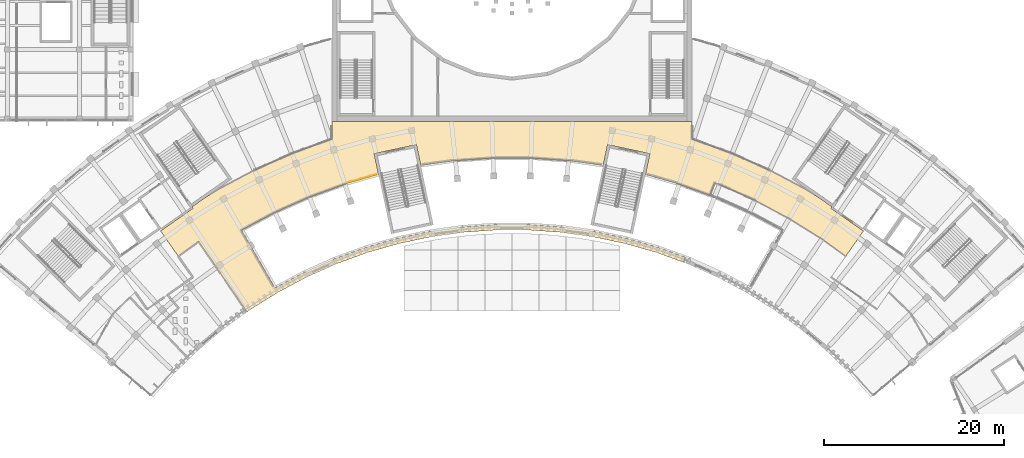
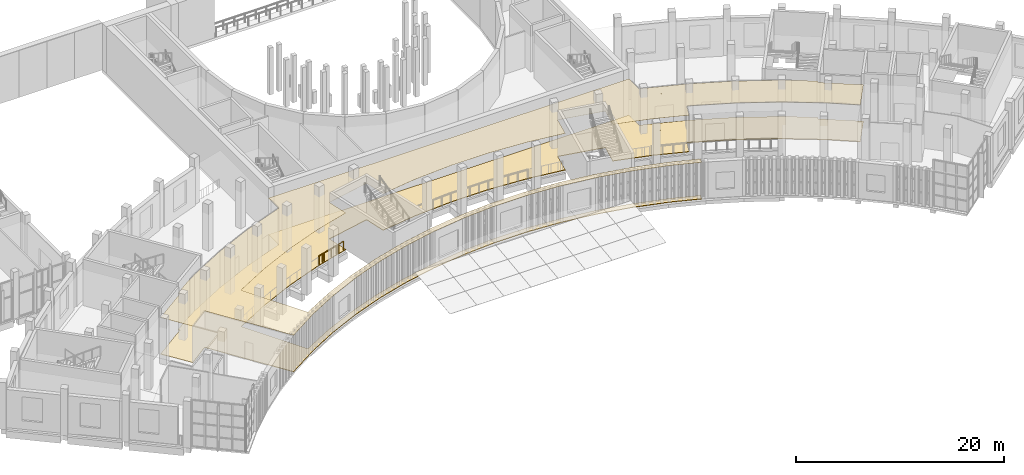
# One storey, part 83 of 112: 2 coverings, 1 railing.
"""IFC4 building model written with IfcOpenShell, lengths in metres."""

from ifc_helpers import new_model, si_unit, direction, frame, origin, origin_2d, place, context, subcontext, project, spatial, polyline, circle, outline, extrude, material, layer, layer_set, type_object, element, save


model = new_model("IFC4")

# Units and contexts
model_context = context("Model", 3, precision=1e-05, world=origin(), true_north=direction((0.0, 1.0)))
body_context = subcontext(model_context, "Body", "Model", "MODEL_VIEW")
ifc_project = project(units=[si_unit("LENGTHUNIT", "METRE"), si_unit("AREAUNIT", "SQUARE_METRE"), si_unit("VOLUMEUNIT", "CUBIC_METRE"), si_unit("PLANEANGLEUNIT", "RADIAN"), si_unit("MASSUNIT", "GRAM", prefix="KILO")], contexts=[model_context])

# Site, building, storey
site_placement = place(None, origin())
site = spatial("IfcSite", under=ifc_project, at=site_placement, CompositionType="ELEMENT")
building_placement = place(site_placement, origin())
building = spatial("IfcBuilding", under=site, at=building_placement, Name="Lunette Opera House", CompositionType="ELEMENT")
storey_placement = place(building_placement, frame((0.0, 0.0, 6.0)))
storey = spatial("IfcBuildingStorey", under=building, at=storey_placement, Name="L01", CompositionType="ELEMENT", Elevation=6.0)

# Railing
ifc_material_1 = material(Name="Steel S355", Category="steel")
railing_type = type_object("IfcRailingType", Name="DECK GUARD 1100", PredefinedType="GUARDRAIL", material=ifc_material_1)
railing_placement = place(storey_placement, frame((77.669921875, 57.20703125, 0.0)))
element("IfcRailing", 1, at=railing_placement, inside=storey, type_object=railing_type, Name="Deck guard 012", PredefinedType="GUARDRAIL", context=body_context, shape_type="SweptSolid", body=[
    extrude(circle(Radius=0.02392578125, at=origin_2d()), frame((0.0, 0.0, 1.076171875), z_axis=(0.961200954659, 0.275849097809, 0.0), x_axis=(-0.275849097809, 0.961200954659, 0.0)), (0.0, 0.0, 1.0), 0.48583984375),
    extrude(circle(Radius=0.02392578125, at=origin_2d()), frame((0.467041015625, 0.134033203125, 1.076171875), z_axis=(0.962280734503, 0.272058427556, 0.0), x_axis=(-0.272058427556, 0.962280734503, 0.0)), (0.0, 0.0, 1.0), 0.2421875),
    extrude(circle(Radius=0.02392578125, at=origin_2d()), frame((0.7001953125, 0.199951171875, 1.076171875), z_axis=(0.961028342103, 0.27644986105, 0.0), x_axis=(-0.27644986105, 0.961028342103, 0.0)), (0.0, 0.0, 1.0), 0.9697265625),
    extrude(circle(Radius=0.02392578125, at=origin_2d()), frame((1.632080078125, 0.468017578125, 1.076171875), z_axis=(0.961181621853, 0.275916454407, 0.0), x_axis=(-0.275916454407, 0.961181621853, 0.0)), (0.0, 0.0, 1.0), 0.728271484375),
    extrude(circle(Radius=0.02392578125, at=origin_2d()), frame((2.33203125, 0.6689453125, 1.076171875), z_axis=(0.962280734503, 0.272058427556, 0.0), x_axis=(-0.272058427556, 0.962280734503, 0.0)), (0.0, 0.0, 1.0), 0.2421875),
    extrude(circle(Radius=0.02392578125, at=origin_2d()), frame((2.565185546875, 0.73486328125, 1.076171875), z_axis=(0.961092668095, 0.276226145277, 0.0), x_axis=(-0.276226145277, 0.961092668095, 0.0)), (0.0, 0.0, 1.0), 0.728271484375),
    extrude(circle(Radius=0.02099609375, at=origin_2d()), origin(), (0.0, 0.0, 1.0), 1.052001953125),
    extrude(circle(Radius=0.02099609375, at=origin_2d()), frame((0.467041015625, 0.134033203125, 0.0)), (0.0, 0.0, 1.0), 1.052001953125),
    extrude(circle(Radius=0.02099609375, at=origin_2d()), frame((0.7001953125, 0.199951171875, 0.0)), (0.0, 0.0, 1.0), 1.052001953125),
    extrude(circle(Radius=0.02099609375, at=origin_2d()), frame((1.632080078125, 0.468017578125, 0.0)), (0.0, 0.0, 1.0), 1.052001953125),
    extrude(circle(Radius=0.02099609375, at=origin_2d()), frame((2.33203125, 0.6689453125, 0.0)), (0.0, 0.0, 1.0), 1.052001953125),
    extrude(circle(Radius=0.02099609375, at=origin_2d()), frame((2.565185546875, 0.73486328125, 0.0)), (0.0, 0.0, 1.0), 1.052001953125),
    extrude(circle(Radius=0.02099609375, at=origin_2d()), frame((3.26513671875, 0.93603515625, 0.0)), (0.0, 0.0, 1.0), 1.052001953125),
])

# Coverings
ifc_material_2 = material(Name="Mineral fibre board")
ifc_layer_1 = layer(ifc_material_2, 0.014892578125)
ifc_layer_set_1 = layer_set([ifc_layer_1], Name="Mineral fibre board")
covering_type_1 = type_object("IfcCoveringType", Name="SUSPENDED ACOUSTIC CEILING 15", PredefinedType="CEILING", material=ifc_layer_set_1)
covering_1_placement = place(storey_placement, frame((0.0, 0.0, 4.31494140625)))
element("IfcCovering", 2, at=covering_1_placement, inside=storey, type_object=covering_type_1, Name="Ceiling Promenade Foyer L01", PredefinedType="CEILING", context=body_context, shape_type="SweptSolid", body=[
    extrude(outline(polyline([(63.39990234375, 56.465087890625), (67.41796875, 58.60107421875), (71.575927734375, 60.451904296875), (75.85205078125, 62.009033203125), (76.0, 62.051025390625), (76.0, 64.0), (116.0, 64.0), (116.0, 62.051025390625), (116.14794921875, 62.009033203125), (120.424072265625, 60.451904296875), (124.58203125, 58.60107421875), (128.60009765625, 56.465087890625), (130.19189453125, 55.469970703125), (131.509033203125, 54.548095703125), (131.39404296875, 54.384033203125), (134.998046875, 51.860107421875), (133.0390625, 49.06103515625), (130.389892578125, 50.986083984375), (126.75, 53.260986328125), (122.9599609375, 55.27587890625), (119.0380859375, 57.02197265625), (118.5009765625, 57.217041015625), (117.951904296875, 55.822021484375), (114.541015625, 57.06298828125), (110.81005859375, 58.133056640625), (111.300048828125, 60.43994140625), (106.60498046875, 61.43798828125), (106.114990234375, 59.131103515625), (102.27197265625, 59.6708984375), (98.093994140625, 59.962890625), (93.906005859375, 59.962890625), (89.72802734375, 59.6708984375), (85.885009765625, 59.131103515625), (85.39501953125, 61.43798828125), (80.699951171875, 60.43994140625), (81.18994140625, 58.133056640625), (77.458984375, 57.06298828125), (73.52392578125, 55.631103515625), (69.697998046875, 53.927978515625), (66.0, 51.9619140625), (69.699951171875, 45.552978515625), (72.94189453125, 47.277099609375), (76.2958984375, 48.77001953125), (79.74609375, 50.02587890625), (83.27490234375, 51.0380859375), (86.865966796875, 51.801025390625), (90.501953125, 52.31201171875), (94.1640625, 52.568115234375), (97.8359375, 52.568115234375), (101.498046875, 52.31201171875), (105.134033203125, 51.801025390625), (108.72509765625, 51.0380859375), (112.25390625, 50.02587890625), (115.2451171875, 48.93701171875), (115.02490234375, 48.37890625), (112.069091796875, 49.455078125), (108.580078125, 50.455078125), (105.030029296875, 51.2099609375), (101.43505859375, 51.715087890625), (97.81494140625, 51.968017578125), (94.18505859375, 51.968017578125), (90.56494140625, 51.715087890625), (86.969970703125, 51.2099609375), (83.419921875, 50.455078125), (79.930908203125, 49.455078125), (76.52001953125, 48.214111328125), (73.205078125, 46.737060546875), (70.0, 45.032958984375), (66.922119140625, 43.110107421875), (66.596923828125, 42.8740234375), (61.22509765625, 50.7060546875), (58.9609375, 49.06103515625), (57.001953125, 51.860107421875), (60.60595703125, 54.384033203125), (60.490966796875, 54.548095703125), (61.80810546875, 55.469970703125), (63.39990234375, 56.465087890625)]), holes=[polyline([(116.0, 60.785888671875), (119.97509765625, 59.340087890625), (116.0, 60.787109375), (116.0, 60.785888671875)]), polyline([(72.02490234375, 59.340087890625), (76.0, 60.785888671875), (76.0, 60.787109375), (72.02490234375, 59.340087890625)])]), origin(), (0.0, 0.0, 1.0), 0.01513671875),
])
ifc_material_3 = material(Name="Terrazzo")
ifc_layer_2 = layer(ifc_material_3, 0.06005859375)
ifc_layer_set_2 = layer_set([ifc_layer_2], Name="Terrazzo")
covering_type_2 = type_object("IfcCoveringType", Name="TERRAZZO FLOOR FINISH 60", PredefinedType="FLOORING", material=ifc_layer_set_2)
covering_2_placement = place(storey_placement, origin())
element("IfcCovering", 3, at=covering_2_placement, inside=storey, type_object=covering_type_2, Name="Floor finish Promenade Foyer L01", PredefinedType="FLOORING", context=body_context, shape_type="SweptSolid", body=[
    extrude(outline(polyline([(63.39990234375, 56.465087890625), (67.41796875, 58.60107421875), (71.575927734375, 60.451904296875), (75.85205078125, 62.009033203125), (76.0, 62.051025390625), (76.0, 64.0), (116.0, 64.0), (116.0, 62.051025390625), (116.14794921875, 62.009033203125), (120.424072265625, 60.451904296875), (124.58203125, 58.60107421875), (128.60009765625, 56.465087890625), (130.19189453125, 55.469970703125), (131.509033203125, 54.548095703125), (131.39404296875, 54.384033203125), (134.998046875, 51.860107421875), (133.0390625, 49.06103515625), (130.389892578125, 50.986083984375), (126.75, 53.260986328125), (122.9599609375, 55.27587890625), (119.0380859375, 57.02197265625), (118.5009765625, 57.217041015625), (117.951904296875, 55.822021484375), (114.541015625, 57.06298828125), (110.81005859375, 58.133056640625), (111.300048828125, 60.43994140625), (106.60498046875, 61.43798828125), (106.114990234375, 59.131103515625), (102.27197265625, 59.6708984375), (98.093994140625, 59.962890625), (93.906005859375, 59.962890625), (89.72802734375, 59.6708984375), (85.885009765625, 59.131103515625), (85.39501953125, 61.43798828125), (80.699951171875, 60.43994140625), (81.18994140625, 58.133056640625), (77.458984375, 57.06298828125), (73.52392578125, 55.631103515625), (69.697998046875, 53.927978515625), (66.0, 51.9619140625), (69.699951171875, 45.552978515625), (72.94189453125, 47.277099609375), (76.2958984375, 48.77001953125), (79.74609375, 50.02587890625), (83.27490234375, 51.0380859375), (86.865966796875, 51.801025390625), (90.501953125, 52.31201171875), (94.1640625, 52.568115234375), (97.8359375, 52.568115234375), (101.498046875, 52.31201171875), (105.134033203125, 51.801025390625), (108.72509765625, 51.0380859375), (112.25390625, 50.02587890625), (115.2451171875, 48.93701171875), (115.02490234375, 48.37890625), (112.069091796875, 49.455078125), (108.580078125, 50.455078125), (105.030029296875, 51.2099609375), (101.43505859375, 51.715087890625), (97.81494140625, 51.968017578125), (94.18505859375, 51.968017578125), (90.56494140625, 51.715087890625), (86.969970703125, 51.2099609375), (83.419921875, 50.455078125), (79.930908203125, 49.455078125), (76.52001953125, 48.214111328125), (73.205078125, 46.737060546875), (70.0, 45.032958984375), (66.922119140625, 43.110107421875), (66.596923828125, 42.8740234375), (61.22509765625, 50.7060546875), (58.9609375, 49.06103515625), (57.001953125, 51.860107421875), (60.60595703125, 54.384033203125), (60.490966796875, 54.548095703125), (61.80810546875, 55.469970703125), (63.39990234375, 56.465087890625)]), holes=[polyline([(116.0, 60.785888671875), (119.97509765625, 59.340087890625), (116.0, 60.787109375), (116.0, 60.785888671875)]), polyline([(72.02490234375, 59.340087890625), (76.0, 60.785888671875), (76.0, 60.787109375), (72.02490234375, 59.340087890625)])]), origin(), (0.0, 0.0, 1.0), 0.06005859375),
])

save(model, "model.ifc")
